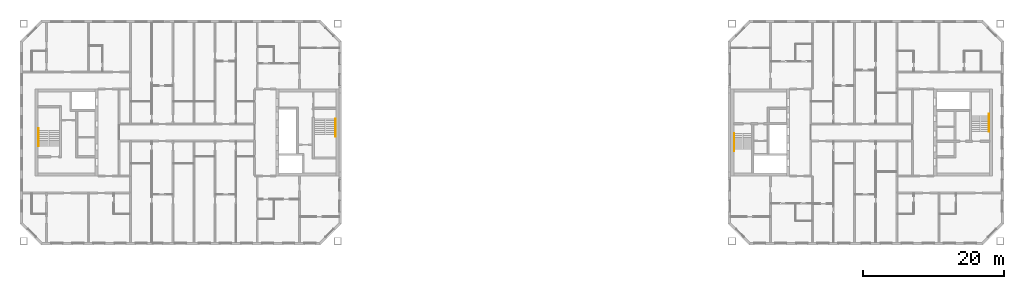
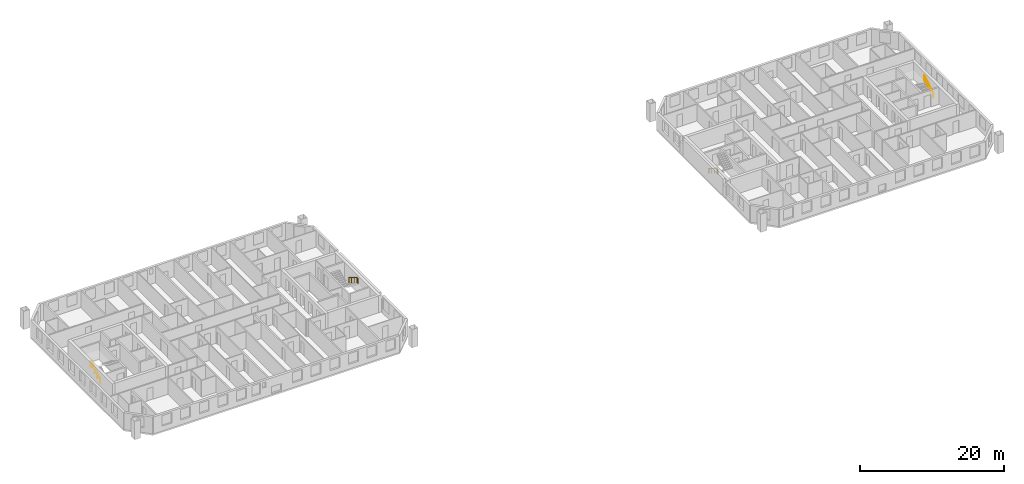
# One storey, part 15 of 15: 4 railings.
"""IFC4 building model written with IfcOpenShell, lengths in metres."""

import ifcopenshell
import ifcopenshell.guid

model = None  # the IFC model being written
_history = None  # IfcOwnerHistory: only IFC2X3 demands one
_inside = {}  # id of a spatial element -> (the spatial element, [elements in it])
_under = {}  # id of a project, library or spatial element -> (it, [spatial elements below it])
_declared = {}  # id of a project -> (the project, [libraries it declares])
_typed = {}  # id of a type object -> (the type object, [elements of that type])
_made_of = {}  # id of a material, layer set ... -> (it, [elements and type objects made of it])


def new_model(schema):
    """Start an empty IFC model of exactly this schema.

    Asked for "IFC4X3", IfcOpenShell would pick the latest addendum, in which some entities
    have other attributes; the version numbers below select the first issue.
    IFC2X3 requires an IfcOwnerHistory on every rooted entity: one is made here for all.
    """
    global model, _history
    if schema == "IFC4X3":
        model = ifcopenshell.file(schema_version=(4, 3, 0, 0))
    else:
        model = ifcopenshell.file(schema=schema)
    _inside.clear()
    _under.clear()
    _declared.clear()
    _typed.clear()
    _made_of.clear()
    _history = None
    if model.schema == "IFC2X3":
        org = make("IfcOrganization", Name="unknown")
        user = make(
            "IfcPersonAndOrganization",
            ThePerson=make("IfcPerson", FamilyName="unknown"),
            TheOrganization=org,
        )
        app = make(
            "IfcApplication",
            ApplicationDeveloper=org,
            Version="unknown",
            ApplicationFullName="unknown",
            ApplicationIdentifier="unknown",
        )
        _history = make(
            "IfcOwnerHistory",
            OwningUser=user,
            OwningApplication=app,
            ChangeAction="ADDED",
            CreationDate=0,
        )
    return model


def make(cls, **values):
    """One entity of the class cls with the attributes given. An attribute that is None is left unset."""
    return model.create_entity(
        cls, **{name: value for name, value in values.items() if value is not None}
    )


def rooted(cls, **values):
    """An entity with a GlobalId (a new one), such as an element, a storey or a relation."""
    return make(cls, GlobalId=ifcopenshell.guid.new(), OwnerHistory=_history, **values)


def si_unit(unit_type, name, prefix=None):
    """IfcSIUnit, for example si_unit("LENGTHUNIT", "METRE", prefix="MILLI")."""
    return make("IfcSIUnit", UnitType=unit_type, Prefix=prefix, Name=name)


def assignment(units):
    """IfcUnitAssignment: the units of a project."""
    return None if units is None else make("IfcUnitAssignment", Units=units)


def point(xyz):
    """IfcCartesianPoint."""
    return None if xyz is None else make("IfcCartesianPoint", Coordinates=xyz)


def direction(xyz):
    """IfcDirection."""
    return None if xyz is None else make("IfcDirection", DirectionRatios=xyz)


def frame(location, z_axis=None, x_axis=None):
    """IfcAxis2Placement3D, a coordinate frame: its origin and axes. An axis left out is left unset."""
    return make(
        "IfcAxis2Placement3D",
        Location=point(location),
        Axis=direction(z_axis),
        RefDirection=direction(x_axis),
    )


def frame_2d(location, x_axis=None):
    """IfcAxis2Placement2D, a coordinate frame in the plane: its origin and x axis."""
    return make(
        "IfcAxis2Placement2D", Location=point(location), RefDirection=direction(x_axis)
    )


def origin():
    """The frame at (0, 0, 0) with its axes left unset."""
    return frame((0.0, 0.0, 0.0))


def origin_2d():
    """The frame at (0, 0) in the plane with its x axis left unset."""
    return frame_2d((0.0, 0.0))


def place(relative_to, where):
    """IfcLocalPlacement: puts the frame where relative to a parent placement (None: the world)."""
    return make(
        "IfcLocalPlacement", PlacementRelTo=relative_to, RelativePlacement=where
    )


def context(
    kind, dimensions, precision=None, world=None, true_north=None, identifier=None
):
    """IfcGeometricRepresentationContext, for example the 3D "Model" context."""
    return make(
        "IfcGeometricRepresentationContext",
        ContextIdentifier=identifier,
        ContextType=kind,
        CoordinateSpaceDimension=dimensions,
        Precision=precision,
        WorldCoordinateSystem=world,
        TrueNorth=true_north,
    )


def subcontext(parent, identifier, kind, view, scale=None):
    """IfcGeometricRepresentationSubContext, for example "Body" below "Model"."""
    return make(
        "IfcGeometricRepresentationSubContext",
        ContextIdentifier=identifier,
        ContextType=kind,
        ParentContext=parent,
        TargetScale=scale,
        TargetView=view,
    )


def project(units=None, contexts=None):
    """IfcProject with its units and contexts."""
    return rooted(
        "IfcProject",
        Name="project",
        RepresentationContexts=contexts,
        UnitsInContext=assignment(units),
    )


def spatial(cls, under=None, at=None, **own):
    """A site, building, storey or space (cls), placed at a placement, below another one or the project."""
    s = rooted(cls, ObjectPlacement=at, **own)
    if under is not None:
        _under.setdefault(under.id(), (under, []))[1].append(s)
    return s


def profile(cls, at=None, kind="AREA", **sizes):
    """A parametric profile (cls). Its sizes go by their IFC names, for example OverallWidth=200.0."""
    return make(cls, ProfileType=kind, Position=at, **sizes)


def circle(**sizes):
    """IfcCircleProfileDef."""
    return profile("IfcCircleProfileDef", **sizes)


def extrude(swept, where, along, depth):
    """IfcExtrudedAreaSolid: the profile swept, set in the frame where, extruded along a direction by depth."""
    return make(
        "IfcExtrudedAreaSolid",
        SweptArea=swept,
        Position=where,
        ExtrudedDirection=direction(along),
        Depth=depth,
    )


def shape(context_of_items, identifier, shape_type, items):
    """IfcShapeRepresentation: the items that make up one representation, for example the "Body"."""
    return make(
        "IfcShapeRepresentation",
        ContextOfItems=context_of_items,
        RepresentationIdentifier=identifier,
        RepresentationType=shape_type,
        Items=items,
    )


def material(Name=None, Category=None):
    """IfcMaterial."""
    return make("IfcMaterial", Name=Name, Category=Category)


def made_of(thing, what):
    """Note that an element or type object is made of a material, layer set ...; save() writes the relation."""
    if what is not None:
        _made_of.setdefault(what.id(), (what, []))[1].append(thing)
    return thing


def type_object(cls, material=None, **own):
    """A type object (cls), such as IfcWallType, which elements share."""
    return made_of(rooted(cls, **own), material)


def element(
    cls,
    number,
    at=None,
    inside=None,
    cuts=None,
    type_object=None,
    material=None,
    context=None,
    identifier="Body",
    shape_type=None,
    held_by="IfcProductDefinitionShape",
    body=None,
    shapes=None,
    **own,
):
    """One element of the class cls, such as IfcWall. Its Tag is "e" and its number.

    at: its placement. inside: the storey or other place that contains it. cuts: it is an
    opening in that element (IfcRelVoidsElement). A single representation is given by context,
    identifier, shape_type and body (its items); several are given by shapes. held_by: the class
    of the entity that holds the representations. save() writes the other relations.
    """
    e = rooted(cls, Tag="e%d" % number, ObjectPlacement=at, **own)
    if body is not None:
        shapes = [shape(context, identifier, shape_type, body)]
    if shapes is not None:
        e.Representation = make(held_by, Representations=shapes)
    if inside is not None:
        _inside.setdefault(inside.id(), (inside, []))[1].append(e)
    if cuts is not None:
        rooted(
            "IfcRelVoidsElement", RelatingBuildingElement=cuts, RelatedOpeningElement=e
        )
    if type_object is not None:
        _typed.setdefault(type_object.id(), (type_object, []))[1].append(e)
    return made_of(e, material)


def aggregate(whole, parts):
    """IfcRelAggregates: a whole, such as a stair, and the parts it consists of."""
    return rooted("IfcRelAggregates", RelatingObject=whole, RelatedObjects=parts)


def save(model, path):
    """Write the relations noted so far, then the file.

    IfcRelAggregates (storeys below a building ...), IfcRelContainedInSpatialStructure (elements
    in a storey), IfcRelDefinesByType, IfcRelAssociatesMaterial and IfcRelDeclares: one each for
    every whole, place, type object, material and project.
    """
    for whole, parts in _under.values():
        aggregate(whole, parts)
    for where, things in _inside.values():
        rooted(
            "IfcRelContainedInSpatialStructure",
            RelatedElements=things,
            RelatingStructure=where,
        )
    for kind, things in _typed.values():
        rooted("IfcRelDefinesByType", RelatedObjects=things, RelatingType=kind)
    for what, things in _made_of.values():
        rooted("IfcRelAssociatesMaterial", RelatedObjects=things, RelatingMaterial=what)
    for by, libraries in _declared.values():
        rooted("IfcRelDeclares", RelatingContext=by, RelatedDefinitions=libraries)
    model.write(path)


model = new_model("IFC4")

# Units and contexts
model_context = context("Model", 3, precision=1e-05, world=origin(), true_north=direction((0.0, 1.0)))
body_context = subcontext(model_context, "Body", "Model", "MODEL_VIEW")
ifc_project = project(units=[si_unit("LENGTHUNIT", "METRE"), si_unit("AREAUNIT", "SQUARE_METRE"), si_unit("VOLUMEUNIT", "CUBIC_METRE"), si_unit("PLANEANGLEUNIT", "RADIAN"), si_unit("MASSUNIT", "GRAM", prefix="KILO")], contexts=[model_context])

# Site, building, storey
site_placement = place(None, origin())
site = spatial("IfcSite", under=ifc_project, at=site_placement, CompositionType="ELEMENT")
building_placement = place(site_placement, origin())
building = spatial("IfcBuilding", under=site, at=building_placement, Name="Tuart Gate Housing", CompositionType="ELEMENT")
storey_placement = place(building_placement, frame((0.0, 0.0, 191.300048828125)))
storey = spatial("IfcBuildingStorey", under=building, at=storey_placement, Name="L54", CompositionType="ELEMENT", Elevation=191.300048828125)

# Railings
ifc_material = material(Name="Stainless steel", Category="steel")
railing_type = type_object("IfcRailingType", Name="Stair handrail 900", PredefinedType="HANDRAIL", material=ifc_material)
railing_1_placement = place(storey_placement, frame((75.1298828125, 71.949951171875, 0.172119140625)))
element("IfcRailing", 1, at=railing_1_placement, inside=storey, type_object=railing_type, Name="Stair handrail SA1.1", PredefinedType="HANDRAIL", context=body_context, shape_type="SweptSolid", body=[
    extrude(circle(Radius=0.02392578125, at=origin_2d()), frame((0.0, 0.0, 0.8759765625), z_axis=(0.0, -0.851747552033, 0.523952390591), x_axis=(1.0, 0.0, 0.0)), (0.0, 0.0, 1.0), 2.6298828125),
    extrude(circle(Radius=0.02392578125, at=origin_2d()), frame((0.0, -2.239990234375, 2.25390625), z_axis=(0.0, -1.0, 0.0), x_axis=(1.0, 0.0, 0.0)), (0.0, 0.0, 1.0), 0.300048828125),
    extrude(circle(Radius=0.02099609375, at=origin_2d()), origin(), (0.0, 0.0, 1.0), 0.851806640625),
    extrude(circle(Radius=0.02099609375, at=origin_2d()), frame((0.0, -0.74658203125, 0.459228515625)), (0.0, 0.0, 1.0), 0.851806640625),
    extrude(circle(Radius=0.02099609375, at=origin_2d()), frame((0.0, -1.493408203125, 0.918701171875)), (0.0, 0.0, 1.0), 0.851806640625),
    extrude(circle(Radius=0.02099609375, at=origin_2d()), frame((0.0, -2.239990234375, 1.3779296875)), (0.0, 0.0, 1.0), 0.851806640625),
    extrude(circle(Radius=0.02099609375, at=origin_2d()), frame((0.0, -2.5400390625, 1.3779296875)), (0.0, 0.0, 1.0), 0.851806640625),
])
railing_2_placement = place(storey_placement, frame((32.8701171875, 68.050048828125, 0.172119140625)))
element("IfcRailing", 2, at=railing_2_placement, inside=storey, type_object=railing_type, Name="Stair handrail SA2.1", PredefinedType="HANDRAIL", context=body_context, shape_type="SweptSolid", body=[
    extrude(circle(Radius=0.02392578125, at=origin_2d()), frame((0.0, 0.0, 0.8759765625), z_axis=(0.0, 0.851747552033, 0.523952390591), x_axis=(-1.0, 0.0, 0.0)), (0.0, 0.0, 1.0), 2.6298828125),
    extrude(circle(Radius=0.02392578125, at=origin_2d()), frame((0.0, 2.239990234375, 2.25390625), z_axis=(0.0, 1.0, 0.0), x_axis=(-1.0, 0.0, 0.0)), (0.0, 0.0, 1.0), 0.300048828125),
    extrude(circle(Radius=0.02099609375, at=origin_2d()), origin(), (0.0, 0.0, 1.0), 0.851806640625),
    extrude(circle(Radius=0.02099609375, at=origin_2d()), frame((0.0, 0.74658203125, 0.459228515625)), (0.0, 0.0, 1.0), 0.851806640625),
    extrude(circle(Radius=0.02099609375, at=origin_2d()), frame((0.0, 1.493408203125, 0.918701171875)), (0.0, 0.0, 1.0), 0.851806640625),
    extrude(circle(Radius=0.02099609375, at=origin_2d()), frame((0.0, 2.239990234375, 1.3779296875)), (0.0, 0.0, 1.0), 0.851806640625),
    extrude(circle(Radius=0.02099609375, at=origin_2d()), frame((0.0, 2.5400390625, 1.3779296875)), (0.0, 0.0, 1.0), 0.851806640625),
])
railing_3_placement = place(storey_placement, frame((131.8701171875, 69.875, 0.172119140625)))
element("IfcRailing", 3, at=railing_3_placement, inside=storey, type_object=railing_type, Name="Stair handrail SB1.1", PredefinedType="HANDRAIL", context=body_context, shape_type="SweptSolid", body=[
    extrude(circle(Radius=0.02392578125, at=origin_2d()), frame((0.0, 0.0, 0.8759765625), z_axis=(0.0, -0.851747552033, 0.523952390591), x_axis=(1.0, 0.0, 0.0)), (0.0, 0.0, 1.0), 2.6298828125),
    extrude(circle(Radius=0.02392578125, at=origin_2d()), frame((0.0, -2.239990234375, 2.25390625), z_axis=(0.0, -1.0, 0.0), x_axis=(1.0, 0.0, 0.0)), (0.0, 0.0, 1.0), 0.300048828125),
    extrude(circle(Radius=0.02099609375, at=origin_2d()), origin(), (0.0, 0.0, 1.0), 0.851806640625),
    extrude(circle(Radius=0.02099609375, at=origin_2d()), frame((0.0, -0.74658203125, 0.459228515625)), (0.0, 0.0, 1.0), 0.851806640625),
    extrude(circle(Radius=0.02099609375, at=origin_2d()), frame((0.0, -1.493408203125, 0.918701171875)), (0.0, 0.0, 1.0), 0.851806640625),
    extrude(circle(Radius=0.02099609375, at=origin_2d()), frame((0.0, -2.239990234375, 1.3779296875)), (0.0, 0.0, 1.0), 0.851806640625),
    extrude(circle(Radius=0.02099609375, at=origin_2d()), frame((0.0, -2.5400390625, 1.3779296875)), (0.0, 0.0, 1.0), 0.851806640625),
])
railing_4_placement = place(storey_placement, frame((168.1298828125, 70.125, 0.172119140625)))
element("IfcRailing", 4, at=railing_4_placement, inside=storey, type_object=railing_type, Name="Stair handrail SB2.1", PredefinedType="HANDRAIL", context=body_context, shape_type="SweptSolid", body=[
    extrude(circle(Radius=0.02392578125, at=origin_2d()), frame((0.0, 0.0, 0.8759765625), z_axis=(0.0, 0.851747552033, 0.523952390591), x_axis=(-1.0, 0.0, 0.0)), (0.0, 0.0, 1.0), 2.6298828125),
    extrude(circle(Radius=0.02392578125, at=origin_2d()), frame((0.0, 2.239990234375, 2.25390625), z_axis=(0.0, 1.0, 0.0), x_axis=(-1.0, 0.0, 0.0)), (0.0, 0.0, 1.0), 0.300048828125),
    extrude(circle(Radius=0.02099609375, at=origin_2d()), origin(), (0.0, 0.0, 1.0), 0.851806640625),
    extrude(circle(Radius=0.02099609375, at=origin_2d()), frame((0.0, 0.74658203125, 0.459228515625)), (0.0, 0.0, 1.0), 0.851806640625),
    extrude(circle(Radius=0.02099609375, at=origin_2d()), frame((0.0, 1.493408203125, 0.918701171875)), (0.0, 0.0, 1.0), 0.851806640625),
    extrude(circle(Radius=0.02099609375, at=origin_2d()), frame((0.0, 2.239990234375, 1.3779296875)), (0.0, 0.0, 1.0), 0.851806640625),
    extrude(circle(Radius=0.02099609375, at=origin_2d()), frame((0.0, 2.5400390625, 1.3779296875)), (0.0, 0.0, 1.0), 0.851806640625),
])

save(model, "model.ifc")
